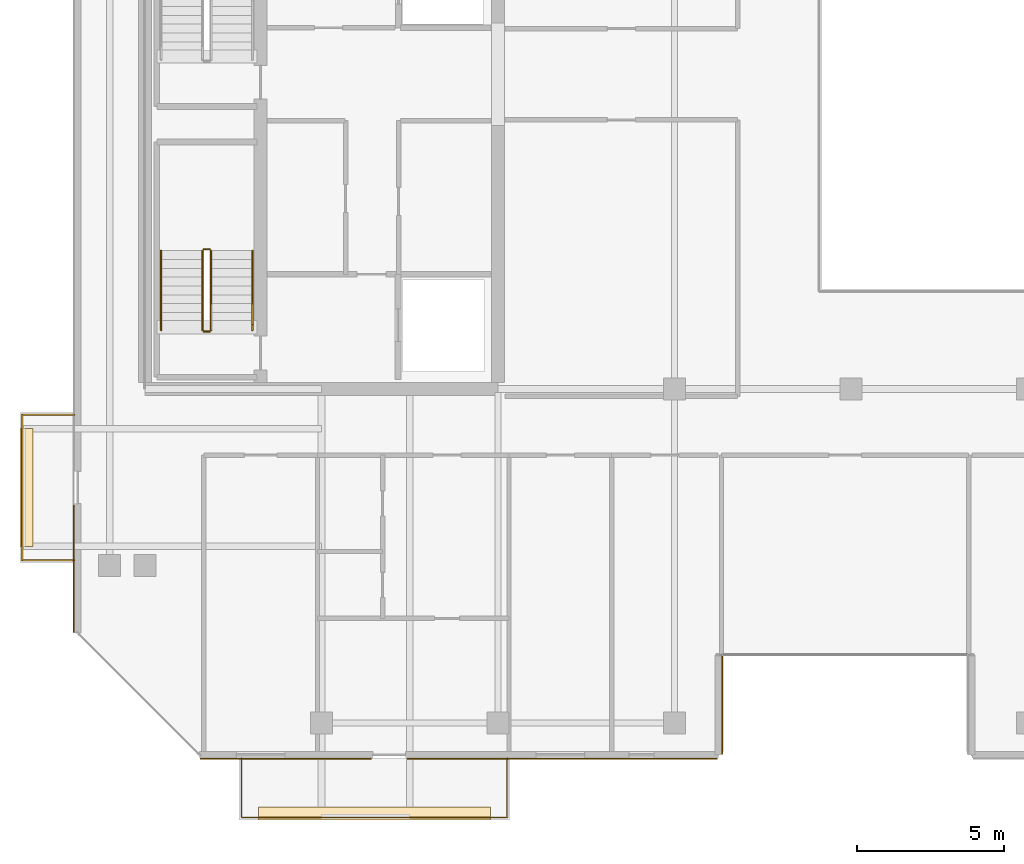
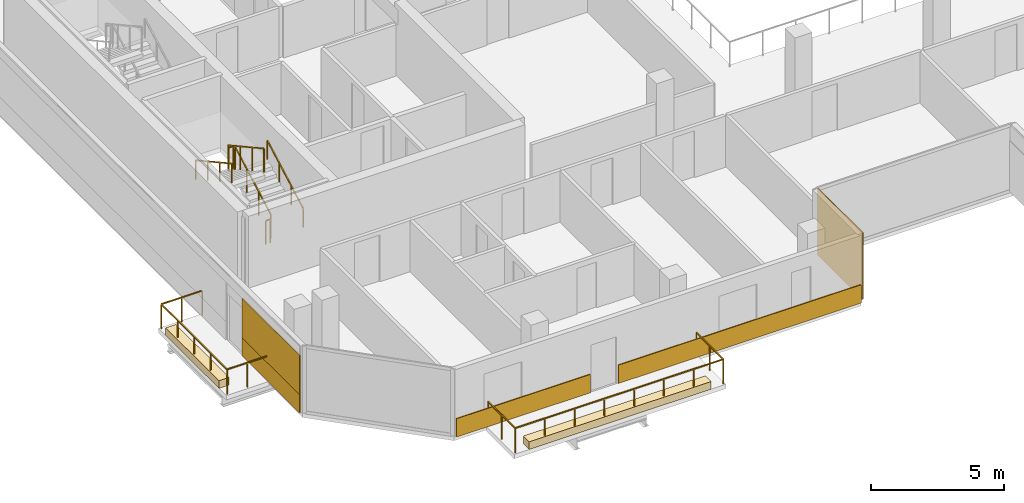
# One storey, part 25 of 28: 8 railings, 7 coverings.
"""IFC4 building model written with IfcOpenShell, lengths in metres."""

from ifc_helpers import new_model, si_unit, direction, frame, origin, origin_2d, place, context, subcontext, project, spatial, polyline, rectangle, outline, extrude, material, layer, layer_set, type_object, element, save


model = new_model("IFC4")

# Units and contexts
model_context = context("Model", 3, precision=1e-05, world=origin(), true_north=direction((0.0, 1.0)))
body_context = subcontext(model_context, "Body", "Model", "MODEL_VIEW")
ifc_project = project(units=[si_unit("LENGTHUNIT", "METRE"), si_unit("AREAUNIT", "SQUARE_METRE"), si_unit("VOLUMEUNIT", "CUBIC_METRE"), si_unit("PLANEANGLEUNIT", "RADIAN"), si_unit("MASSUNIT", "GRAM", prefix="KILO")], contexts=[model_context])

# Site, building, storey
site_placement = place(None, origin())
site = spatial("IfcSite", under=ifc_project, at=site_placement, CompositionType="ELEMENT")
building_placement = place(site_placement, origin())
building = spatial("IfcBuilding", under=site, at=building_placement, Name="Tanjung Sevakor Pilgrim Tower", CompositionType="ELEMENT")
storey_placement = place(building_placement, frame((0.0, 0.0, 222.75)))
storey = spatial("IfcBuildingStorey", under=building, at=storey_placement, Name="L62", CompositionType="ELEMENT", Elevation=222.75)

# Coverings
ifc_material_1 = material(Name="Reconstructed Limestone Cladding", Category="masonry")
ifc_layer_1 = layer(ifc_material_1, 0.044921875)
ifc_layer_set_1 = layer_set([ifc_layer_1], Name="COV-CLAD-LIMESTONE")
covering_type_1 = type_object("IfcCoveringType", Name="COV-CLAD-LIMESTONE", PredefinedType="CLADDING", material=ifc_layer_set_1)
covering_1_placement = place(storey_placement, frame((28.787841796875, 12.027587890625, 0.009765625), z_axis=(0.0, 0.0, 1.0), x_axis=(1.0, 0.0, 0.0)))
element("IfcCovering", 1, at=covering_1_placement, inside=storey, type_object=covering_type_1, Name="L62 Warm Limestone Sill Spandrel EW-L62-MAIN-1-1", PredefinedType="CLADDING", context=body_context, shape_type="SweptSolid", body=[
    extrude(rectangle(XDim=5.804443359375, YDim=0.044921875, at=origin_2d()), origin(), (0.0, 0.0, 1.0), 0.840087890625),
])
covering_2_placement = place(storey_placement, frame((38.179931640625, 12.027587890625, 0.009765625), z_axis=(0.0, 0.0, 1.0), x_axis=(1.0, 0.0, 0.0)))
element("IfcCovering", 2, at=covering_2_placement, inside=storey, type_object=covering_type_1, Name="L62 Warm Limestone Sill Spandrel EW-L62-MAIN-1-2", PredefinedType="CLADDING", context=body_context, shape_type="SweptSolid", body=[
    extrude(rectangle(XDim=10.5400390625, YDim=0.044921875, at=origin_2d()), origin(), (0.0, 0.0, 1.0), 0.840087890625),
])
covering_3_placement = place(storey_placement, frame((43.62255859375, 13.860107421875, 0.02001953125), z_axis=(0.0, 0.0, 1.0), x_axis=(0.0, 1.0, 0.0)))
element("IfcCovering", 3, at=covering_3_placement, inside=storey, type_object=covering_type_1, Name="L62 Warm Limestone Wall Cladding EW-L62-MAIN-2", PredefinedType="CLADDING", context=body_context, shape_type="SweptSolid", body=[
    extrude(rectangle(XDim=3.360107421875, YDim=0.044921875, at=origin_2d()), origin(), (0.0, 0.0, 1.0), 3.0400390625),
])
covering_4_placement = place(storey_placement, frame((21.577392578125, 18.48779296875, 0.009765625), z_axis=(0.0, 0.0, 1.0), x_axis=(0.0, -1.0, 0.0)))
element("IfcCovering", 4, at=covering_4_placement, inside=storey, type_object=covering_type_1, Name="L62 Warm Limestone Sill Spandrel EW-L62-MAIN-15-2", PredefinedType="CLADDING", context=body_context, shape_type="SweptSolid", body=[
    extrude(rectangle(XDim=4.304443359375, YDim=0.044921875, at=origin_2d()), origin(), (0.0, 0.0, 1.0), 0.840087890625),
])
covering_5_placement = place(storey_placement, frame((21.577392578125, 18.492919921875, 0.849853515625), z_axis=(0.0, 0.0, 1.0), x_axis=(0.0, -1.0, 0.0)))
element("IfcCovering", 5, at=covering_5_placement, inside=storey, type_object=covering_type_1, Name="L62 Warm Limestone Pier Panel EW-L62-MAIN-15-2", PredefinedType="CLADDING", context=body_context, shape_type="SweptSolid", body=[
    extrude(rectangle(XDim=4.314453125, YDim=0.044921875, at=origin_2d()), origin(), (0.0, 0.0, 1.0), 1.81005859375),
])
ifc_material_2 = material(Name="Vegetated Modular Planter Assembly", Category="organic")
ifc_layer_2 = layer(ifc_material_2, 0.35009765625)
ifc_layer_set_2 = layer_set([ifc_layer_2], Name="COV-GRN-TROUGH")
covering_type_2 = type_object("IfcCoveringType", Name="COV-GRN-TROUGH", PredefinedType="CLADDING", material=ifc_layer_set_2)
covering_6_placement = place(storey_placement, origin())
element("IfcCovering", 6, at=covering_6_placement, inside=storey, type_object=covering_type_2, Name="L62 Planted Landscape Hedge Trough BGRN-L62-MAIN-S1", PredefinedType="CLADDING", context=body_context, shape_type="SweptSolid", body=[
    extrude(outline(polyline([(27.85009765625, 9.949951171875), (35.75, 9.949951171875), (35.75, 10.389892578125), (27.85009765625, 10.389892578125), (27.85009765625, 9.949951171875)])), origin(), (0.0, 0.0, 1.0), 0.35009765625),
])
covering_7_placement = place(storey_placement, origin())
element("IfcCovering", 7, at=covering_7_placement, inside=storey, type_object=covering_type_2, Name="L62 Planted Landscape Hedge Trough BGRN-L62-MAIN-W1", PredefinedType="CLADDING", context=body_context, shape_type="SweptSolid", body=[
    extrude(outline(polyline([(20.18994140625, 19.25), (20.18994140625, 23.25), (19.75, 23.25), (19.75, 19.25), (20.18994140625, 19.25)])), origin(), (0.0, 0.0, 1.0), 0.35009765625),
])

# Railings
ifc_material_3 = material(Name="Laminated Glass and Aluminium", Category="aluminium")
railing_type_1 = type_object("IfcRailingType", Name="RL-BAL-BALUST", PredefinedType="BALUSTRADE", material=ifc_material_3)
railing_1_placement = place(storey_placement, frame((27.280029296875, 12.050048828125, 0.0)))
element("IfcRailing", 8, at=railing_1_placement, inside=storey, type_object=railing_type_1, Name="L62 Loggia Balustrade MAIN-S1", PredefinedType="BALUSTRADE", context=body_context, shape_type="SweptSolid", body=[
    extrude(rectangle(XDim=0.0479, YDim=0.0479), frame((0.0, 0.0, 1.1259765625), z_axis=(0.0, -1.0, 0.0), x_axis=(1.0, 0.0, 0.0)), (0.0, 0.0, 1.0), 2.02001953125),
    extrude(rectangle(XDim=0.0479, YDim=0.0479), frame((0.0, -2.02001953125, 1.1259765625), z_axis=(1.0, 0.0, 0.0), x_axis=(0.0, 1.0, 0.0)), (0.0, 0.0, 1.0), 9.0400390625),
    extrude(rectangle(XDim=0.0479, YDim=0.0479), frame((9.0400390625, -2.02001953125, 1.1259765625), z_axis=(0.0, 1.0, 0.0), x_axis=(-1.0, 0.0, 0.0)), (0.0, 0.0, 1.0), 2.02001953125),
    extrude(rectangle(XDim=0.042, YDim=0.042), origin(), (0.0, 0.0, 1.0), 1.101806640625),
    extrude(rectangle(XDim=0.042, YDim=0.042), frame((0.0, -1.010009765625, 0.0)), (0.0, 0.0, 1.0), 1.101806640625),
    extrude(rectangle(XDim=0.042, YDim=0.042), frame((0.0, -2.02001953125, 0.0)), (0.0, 0.0, 1.0), 1.101806640625),
    extrude(rectangle(XDim=0.042, YDim=0.042), frame((1.29150390625, -2.02001953125, 0.0)), (0.0, 0.0, 1.0), 1.101806640625),
    extrude(rectangle(XDim=0.042, YDim=0.042), frame((2.582763671875, -2.02001953125, 0.0)), (0.0, 0.0, 1.0), 1.101806640625),
    extrude(rectangle(XDim=0.042, YDim=0.042), frame((3.874267578125, -2.02001953125, 0.0)), (0.0, 0.0, 1.0), 1.101806640625),
    extrude(rectangle(XDim=0.042, YDim=0.042), frame((5.165771484375, -2.02001953125, 0.0)), (0.0, 0.0, 1.0), 1.101806640625),
    extrude(rectangle(XDim=0.042, YDim=0.042), frame((6.457275390625, -2.02001953125, 0.0)), (0.0, 0.0, 1.0), 1.101806640625),
    extrude(rectangle(XDim=0.042, YDim=0.042), frame((7.74853515625, -2.02001953125, 0.0)), (0.0, 0.0, 1.0), 1.101806640625),
    extrude(rectangle(XDim=0.042, YDim=0.042), frame((9.0400390625, -2.02001953125, 0.0)), (0.0, 0.0, 1.0), 1.101806640625),
    extrude(rectangle(XDim=0.042, YDim=0.042), frame((9.0400390625, -1.010009765625, 0.0)), (0.0, 0.0, 1.0), 1.101806640625),
    extrude(rectangle(XDim=0.042, YDim=0.042), frame((9.0400390625, 0.0, 0.0)), (0.0, 0.0, 1.0), 1.101806640625),
])
railing_2_placement = place(storey_placement, frame((21.60009765625, 18.780029296875, 0.0)))
element("IfcRailing", 9, at=railing_2_placement, inside=storey, type_object=railing_type_1, Name="L62 Loggia Balustrade MAIN-W1", PredefinedType="BALUSTRADE", context=body_context, shape_type="SweptSolid", body=[
    extrude(rectangle(XDim=0.0479, YDim=0.0479), frame((0.0, 0.0, 1.1259765625), z_axis=(-1.0, 0.0, 0.0), x_axis=(0.0, -1.0, 0.0)), (0.0, 0.0, 1.0), 1.77001953125),
    extrude(rectangle(XDim=0.0479, YDim=0.0479), frame((-1.77001953125, 0.0, 1.1259765625), z_axis=(0.0, 1.0, 0.0), x_axis=(-1.0, 0.0, 0.0)), (0.0, 0.0, 1.0), 4.93994140625),
    extrude(rectangle(XDim=0.0479, YDim=0.0479), frame((-1.77001953125, 4.93994140625, 1.1259765625), z_axis=(1.0, 0.0, 0.0), x_axis=(0.0, 1.0, 0.0)), (0.0, 0.0, 1.0), 1.77001953125),
    extrude(rectangle(XDim=0.042, YDim=0.042), origin(), (0.0, 0.0, 1.0), 1.101806640625),
    extrude(rectangle(XDim=0.042, YDim=0.042), frame((-0.885009765625, 0.0, 0.0)), (0.0, 0.0, 1.0), 1.101806640625),
    extrude(rectangle(XDim=0.042, YDim=0.042), frame((-1.77001953125, 0.0, 0.0)), (0.0, 0.0, 1.0), 1.101806640625),
    extrude(rectangle(XDim=0.042, YDim=0.042), frame((-1.77001953125, 1.23486328125, 0.0)), (0.0, 0.0, 1.0), 1.101806640625),
    extrude(rectangle(XDim=0.042, YDim=0.042), frame((-1.77001953125, 2.469970703125, 0.0)), (0.0, 0.0, 1.0), 1.101806640625),
    extrude(rectangle(XDim=0.042, YDim=0.042), frame((-1.77001953125, 3.705078125, 0.0)), (0.0, 0.0, 1.0), 1.101806640625),
    extrude(rectangle(XDim=0.042, YDim=0.042), frame((-1.77001953125, 4.93994140625, 0.0)), (0.0, 0.0, 1.0), 1.101806640625),
    extrude(rectangle(XDim=0.042, YDim=0.042), frame((-0.885009765625, 4.93994140625, 0.0)), (0.0, 0.0, 1.0), 1.101806640625),
    extrude(rectangle(XDim=0.042, YDim=0.042), frame((0.0, 4.93994140625, 0.0)), (0.0, 0.0, 1.0), 1.101806640625),
])
ifc_material_4 = material(Name="Steel S355J2", Category="steel")
railing_type_2 = type_object("IfcRailingType", Name="RL-STAIR-GUARD", PredefinedType="GUARDRAIL", material=ifc_material_4)
railing_3_placement = place(storey_placement, frame((26.25, 26.60009765625, 0.1650390625)))
element("IfcRailing", 10, at=railing_3_placement, inside=storey, type_object=railing_type_2, Name="L62 TS-W1 stair guard 1", PredefinedType="GUARDRAIL", context=body_context, shape_type="SweptSolid", body=[
    extrude(rectangle(XDim=0.0479, YDim=0.0479), frame((0.0, 0.0, 1.076171875), z_axis=(0.0, 0.876230963923, 0.481891375584), x_axis=(-1.0, 0.0, 0.0)), (0.0, 0.0, 1.0), 3.081298828125),
    extrude(rectangle(XDim=0.042, YDim=0.042), origin(), (0.0, 0.0, 1.0), 1.052001953125),
    extrude(rectangle(XDim=0.042, YDim=0.042), frame((0.0, 0.89990234375, 0.494873046875)), (0.0, 0.0, 1.0), 1.052001953125),
    extrude(rectangle(XDim=0.042, YDim=0.042), frame((0.0, 1.800048828125, 0.989990234375)), (0.0, 0.0, 1.0), 1.052001953125),
    extrude(rectangle(XDim=0.042, YDim=0.042), frame((0.0, 2.699951171875, 1.48486328125)), (0.0, 0.0, 1.0), 1.052001953125),
])
railing_4_placement = place(storey_placement, frame((26.199951171875, 29.35009765625, 1.64990234375)))
element("IfcRailing", 11, at=railing_4_placement, inside=storey, type_object=railing_type_2, Name="L62 TS-W1 stair guard 2", PredefinedType="GUARDRAIL", context=body_context, shape_type="SweptSolid", body=[
    extrude(rectangle(XDim=0.0479, YDim=0.0479), frame((0.0, 0.0, 1.076171875), z_axis=(-1.0, 0.0, 0.0), x_axis=(0.0, -1.0, 0.0)), (0.0, 0.0, 1.0), 0.199951171875),
    extrude(rectangle(XDim=0.042, YDim=0.042), origin(), (0.0, 0.0, 1.0), 1.052001953125),
    extrude(rectangle(XDim=0.042, YDim=0.042), frame((-0.199951171875, 0.0, 0.0)), (0.0, 0.0, 1.0), 1.052001953125),
])
railing_5_placement = place(storey_placement, frame((25.949951171875, 29.300048828125, 1.81494140625)))
element("IfcRailing", 12, at=railing_5_placement, inside=storey, type_object=railing_type_2, Name="L62 TS-W1 stair guard 3", PredefinedType="GUARDRAIL", context=body_context, shape_type="SweptSolid", body=[
    extrude(rectangle(XDim=0.0479, YDim=0.0479), frame((0.0, 0.0, 1.076171875), z_axis=(0.0, -0.876197507361, 0.481952205197), x_axis=(1.0, 0.0, 0.0)), (0.0, 0.0, 1.0), 3.08154296875),
    extrude(rectangle(XDim=0.042, YDim=0.042), origin(), (0.0, 0.0, 1.0), 1.052001953125),
    extrude(rectangle(XDim=0.042, YDim=0.042), frame((0.0, -0.89990234375, 0.4951171875)), (0.0, 0.0, 1.0), 1.052001953125),
    extrude(rectangle(XDim=0.042, YDim=0.042), frame((0.0, -1.800048828125, 0.989990234375)), (0.0, 0.0, 1.0), 1.052001953125),
    extrude(rectangle(XDim=0.042, YDim=0.042), frame((0.0, -2.699951171875, 1.485107421875)), (0.0, 0.0, 1.0), 1.052001953125),
])
railing_6_placement = place(storey_placement, frame((26.199951171875, 26.550048828125, 0.0)))
element("IfcRailing", 13, at=railing_6_placement, inside=storey, type_object=railing_type_2, Name="L62 TS-W1 stair guard 4", PredefinedType="GUARDRAIL", context=body_context, shape_type="SweptSolid", body=[
    extrude(rectangle(XDim=0.0479, YDim=0.0479), frame((0.0, 0.0, 1.076171875), z_axis=(-1.0, 0.0, 0.0), x_axis=(0.0, -1.0, 0.0)), (0.0, 0.0, 1.0), 0.199951171875),
    extrude(rectangle(XDim=0.042, YDim=0.042), origin(), (0.0, 0.0, 1.0), 1.052001953125),
    extrude(rectangle(XDim=0.042, YDim=0.042), frame((-0.199951171875, 0.0, 0.0)), (0.0, 0.0, 1.0), 1.052001953125),
])
ifc_material_5 = material(Name="Steel S355J2", Category="steel")
railing_type_3 = type_object("IfcRailingType", Name="RL-STAIR-HAND", PredefinedType="HANDRAIL", material=ifc_material_5)
railing_7_placement = place(storey_placement, frame((27.64990234375, 26.60009765625, 0.1650390625)))
element("IfcRailing", 14, at=railing_7_placement, inside=storey, type_object=railing_type_3, Name="L62 TS-W1 stair handrail 1", PredefinedType="HANDRAIL", context=body_context, shape_type="SweptSolid", body=[
    extrude(rectangle(XDim=0.0479, YDim=0.0479), frame((0.0, 0.0, 0.8759765625), z_axis=(0.0, 0.876230963923, 0.481891375584), x_axis=(-1.0, 0.0, 0.0)), (0.0, 0.0, 1.0), 3.081298828125),
    extrude(rectangle(XDim=0.042, YDim=0.042), origin(), (0.0, 0.0, 1.0), 0.851806640625),
    extrude(rectangle(XDim=0.042, YDim=0.042), frame((0.0, 0.89990234375, 0.494873046875)), (0.0, 0.0, 1.0), 0.851806640625),
    extrude(rectangle(XDim=0.042, YDim=0.042), frame((0.0, 1.800048828125, 0.989990234375)), (0.0, 0.0, 1.0), 0.851806640625),
    extrude(rectangle(XDim=0.042, YDim=0.042), frame((0.0, 2.699951171875, 1.48486328125)), (0.0, 0.0, 1.0), 0.851806640625),
])
railing_8_placement = place(storey_placement, frame((24.550048828125, 29.300048828125, 1.81494140625)))
element("IfcRailing", 15, at=railing_8_placement, inside=storey, type_object=railing_type_3, Name="L62 TS-W1 stair handrail 2", PredefinedType="HANDRAIL", context=body_context, shape_type="SweptSolid", body=[
    extrude(rectangle(XDim=0.0479, YDim=0.0479), frame((0.0, 0.0, 0.8759765625), z_axis=(0.0, -0.876197507361, 0.481952205197), x_axis=(1.0, 0.0, 0.0)), (0.0, 0.0, 1.0), 3.08154296875),
    extrude(rectangle(XDim=0.042, YDim=0.042), origin(), (0.0, 0.0, 1.0), 0.851806640625),
    extrude(rectangle(XDim=0.042, YDim=0.042), frame((0.0, -0.89990234375, 0.4951171875)), (0.0, 0.0, 1.0), 0.851806640625),
    extrude(rectangle(XDim=0.042, YDim=0.042), frame((0.0, -1.800048828125, 0.989990234375)), (0.0, 0.0, 1.0), 0.851806640625),
    extrude(rectangle(XDim=0.042, YDim=0.042), frame((0.0, -2.699951171875, 1.485107421875)), (0.0, 0.0, 1.0), 0.851806640625),
])

save(model, "model.ifc")
